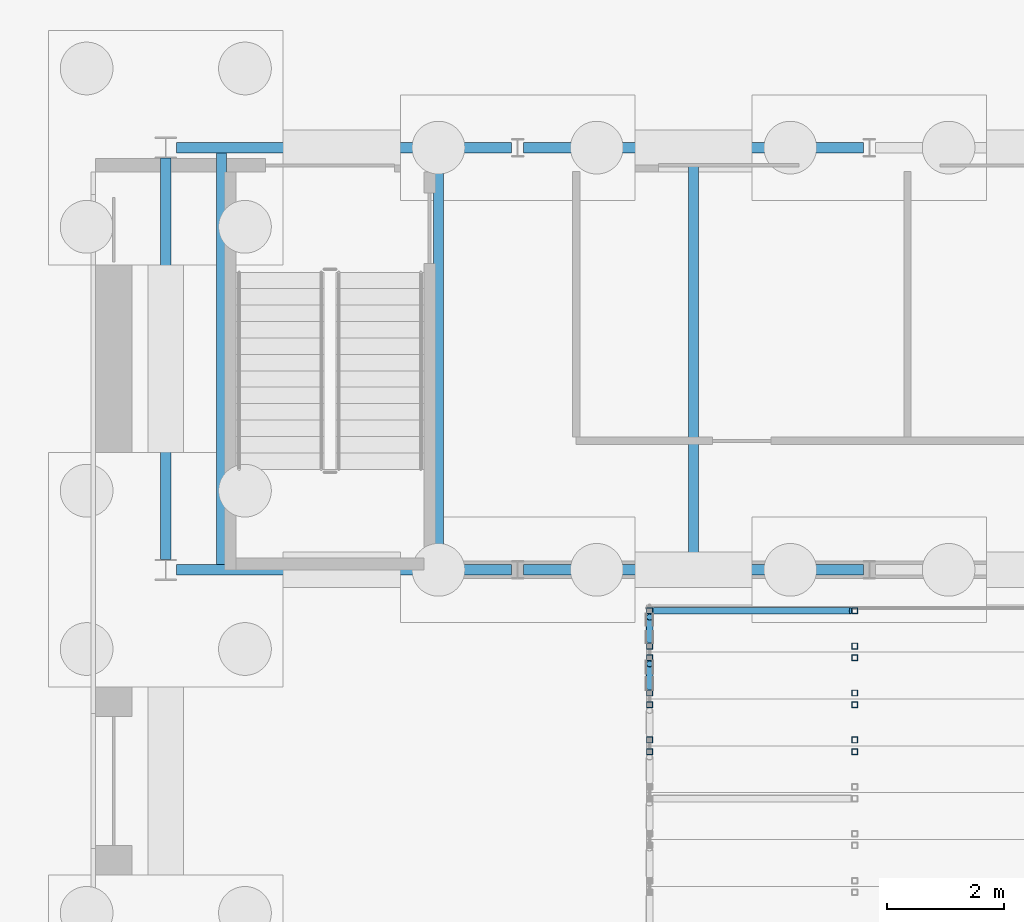
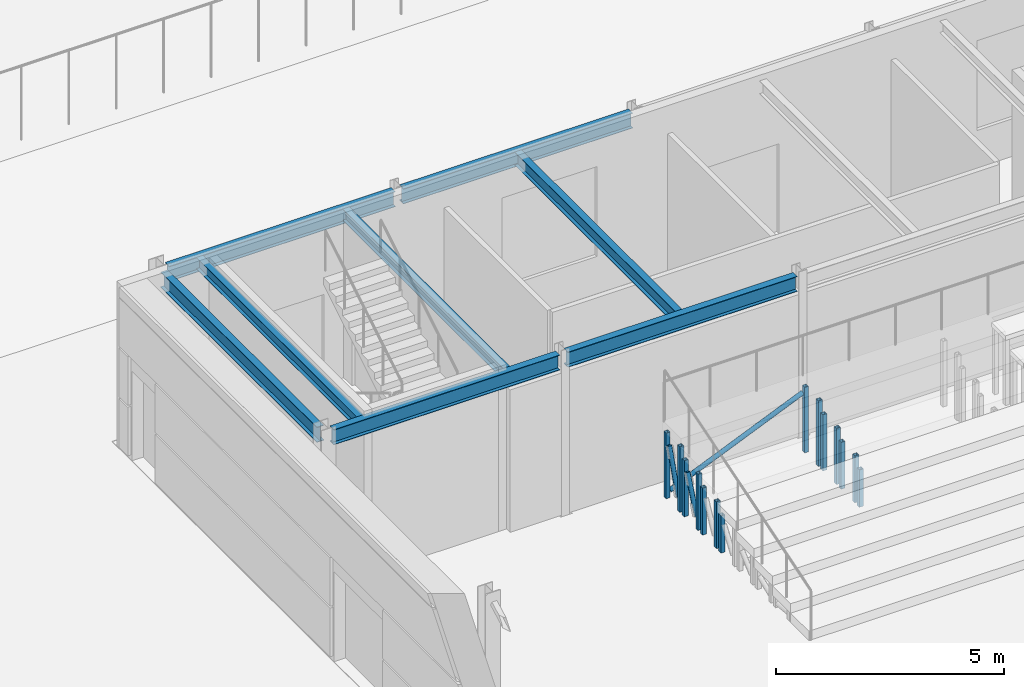
# One storey, part 32 of 139: 17 members, 8 beams.
"""IFC4 building model written with IfcOpenShell, lengths in metres."""

from ifc_helpers import new_model, si_unit, direction, frame, origin, origin_2d, place, context, subcontext, project, spatial, hollow_rectangle, hollow_circle, i_section, extrude, material, material_profile, profile_set, type_object, element, save


model = new_model("IFC4")

# Units and contexts
model_context = context("Model", 3, precision=1e-05, world=origin(), true_north=direction((0.0, 1.0)))
body_context = subcontext(model_context, "Body", "Model", "MODEL_VIEW")
ifc_project = project(units=[si_unit("LENGTHUNIT", "METRE"), si_unit("AREAUNIT", "SQUARE_METRE"), si_unit("VOLUMEUNIT", "CUBIC_METRE"), si_unit("PLANEANGLEUNIT", "RADIAN"), si_unit("MASSUNIT", "GRAM", prefix="KILO")], contexts=[model_context])

# Site, building, storey
site_placement = place(None, origin())
site = spatial("IfcSite", under=ifc_project, at=site_placement, CompositionType="ELEMENT")
building_placement = place(site_placement, origin())
building = spatial("IfcBuilding", under=site, at=building_placement, Name="Verrick Yard Athletic Hall", CompositionType="ELEMENT")
storey_placement = place(building_placement, origin())
storey = spatial("IfcBuildingStorey", under=building, at=storey_placement, Name="L00", CompositionType="ELEMENT", Elevation=0.0)

# Beams
ifc_material_1 = material(Name="Structural steel 350W (CSA G40.21)", Category="steel")
ifc_material_profile_1 = material_profile(ifc_material_1, i_section(OverallWidth=0.177978515625, OverallDepth=0.406982421875, WebThickness=0.0078125, FlangeThickness=0.0126953125, at=origin_2d()), Name="W410x60")
ifc_profile_set_1 = profile_set([ifc_material_profile_1], Name="Structural steel 350W (CSA G40.21)")
beam_type_1 = type_object("IfcBeamType", Name="HB girder W410x60", PredefinedType="BEAM", material=ifc_profile_set_1)
beam_1_placement = place(storey_placement, frame((28.1845703125, 100.800048828125, 4.04638671875), z_axis=(1.0, 0.0, 0.0), x_axis=(0.0, 1.0, 0.0)))
element("IfcBeam", 1, at=beam_1_placement, inside=storey, type_object=beam_type_1, Name="HB-GB-B-L01-S1", PredefinedType="BEAM", context=body_context, shape_type="SweptSolid", body=[
    extrude(i_section(OverallWidth=0.177978515625, OverallDepth=0.406982421875, WebThickness=0.0078125, FlangeThickness=0.0126953125, at=origin_2d()), origin(), (0.0, 0.0, 1.0), 5.712890625),
])
beam_2_placement = place(storey_placement, frame((34.1025390625, 100.800048828125, 4.04638671875), z_axis=(1.0, 0.0, 0.0), x_axis=(0.0, 1.0, 0.0)))
element("IfcBeam", 2, at=beam_2_placement, inside=storey, type_object=beam_type_1, Name="HB-GB-B-L01-S2", PredefinedType="BEAM", context=body_context, shape_type="SweptSolid", body=[
    extrude(i_section(OverallWidth=0.177978515625, OverallDepth=0.406982421875, WebThickness=0.0078125, FlangeThickness=0.0126953125, at=origin_2d()), origin(), (0.0, 0.0, 1.0), 5.794921875),
])
beam_3_placement = place(storey_placement, frame((28.1845703125, 108.0, 4.04638671875), z_axis=(1.0, 0.0, 0.0), x_axis=(0.0, 1.0, 0.0)))
element("IfcBeam", 3, at=beam_3_placement, inside=storey, type_object=beam_type_1, Name="HB-GB-B-L01-N1", PredefinedType="BEAM", context=body_context, shape_type="SweptSolid", body=[
    extrude(i_section(OverallWidth=0.177978515625, OverallDepth=0.406982421875, WebThickness=0.0078125, FlangeThickness=0.0126953125, at=origin_2d()), origin(), (0.0, 0.0, 1.0), 5.712890625),
])
beam_4_placement = place(storey_placement, frame((34.1025390625, 108.0, 4.04638671875), z_axis=(1.0, 0.0, 0.0), x_axis=(0.0, 1.0, 0.0)))
element("IfcBeam", 4, at=beam_4_placement, inside=storey, type_object=beam_type_1, Name="HB-GB-B-L01-N2", PredefinedType="BEAM", context=body_context, shape_type="SweptSolid", body=[
    extrude(i_section(OverallWidth=0.177978515625, OverallDepth=0.406982421875, WebThickness=0.0078125, FlangeThickness=0.0126953125, at=origin_2d()), origin(), (0.0, 0.0, 1.0), 5.794921875),
])
beam_5_placement = place(storey_placement, frame((28.0, 100.97802734375, 4.04638671875), z_axis=(0.0, 1.0, 0.0), x_axis=(-1.0, 0.0, 0.0)))
element("IfcBeam", 5, at=beam_5_placement, inside=storey, type_object=beam_type_1, Name="HB-EB-B-L01-W", PredefinedType="BEAM", context=body_context, shape_type="SweptSolid", body=[
    extrude(i_section(OverallWidth=0.177978515625, OverallDepth=0.406982421875, WebThickness=0.0078125, FlangeThickness=0.0126953125, at=origin_2d()), origin(), (0.0, 0.0, 1.0), 6.843994140625),
])

# Members
ifc_material_2 = material(Name="Structural steel HSS Class C 350W (CSA G40.20/G40.21)", Category="steel")
ifc_material_profile_2 = material_profile(ifc_material_2, hollow_circle(Radius=0.05712890625, WallThickness=0.00634765625, at=origin_2d()), Name="HSS114x6.4")
ifc_profile_set_2 = profile_set([ifc_material_profile_2], Name="Structural steel HSS Class C 350W (CSA G40.20/G40.21)")
member_type_1 = type_object("IfcMemberType", Name="HB roof brace HSS114x6.4", PredefinedType="BRACE", material=ifc_profile_set_2)
member_1_placement = place(storey_placement, frame((36.250732421875, 98.803466796875, 0.277099609375), z_axis=(0.0, 0.383768953832, 0.923429147295), x_axis=(-1.0, 0.0, 0.0)))
element("IfcMember", 6, at=member_1_placement, inside=storey, type_object=member_type_1, Name="HB-BRS-RSB1-a7", PredefinedType="BRACE", context=body_context, shape_type="SweptSolid", body=[
    extrude(hollow_circle(Radius=0.05712890625, WallThickness=0.00634765625, at=origin_2d()), origin(), (0.0, 0.0, 1.0), 1.024169921875),
])
member_2_placement = place(storey_placement, frame((36.250732421875, 99.604736328125, 0.30712890625), z_axis=(0.0, 0.325057042805, 0.945694410961), x_axis=(-1.0, 0.0, 0.0)))
element("IfcMember", 7, at=member_2_placement, inside=storey, type_object=member_type_1, Name="HB-BRS-RSB1-a8", PredefinedType="BRACE", context=body_context, shape_type="SweptSolid", body=[
    extrude(hollow_circle(Radius=0.05712890625, WallThickness=0.00634765625, at=origin_2d()), origin(), (0.0, 0.0, 1.0), 1.200927734375),
])
member_3_placement = place(storey_placement, frame((36.323974609375, 100.10009765625, 0.15966796875), z_axis=(0.919794925456, 0.0, 0.392399407627), x_axis=(0.0, 1.0, 0.0)))
element("IfcMember", 8, at=member_3_placement, inside=storey, type_object=member_type_1, Name="HB-BRL-RSB1-a8", PredefinedType="BRACE", context=body_context, shape_type="SweptSolid", body=[
    extrude(hollow_circle(Radius=0.05712890625, WallThickness=0.00634765625, at=origin_2d()), origin(), (0.0, 0.0, 1.0), 3.64599609375),
])
ifc_material_profile_3 = material_profile(ifc_material_2, hollow_rectangle(XDim=0.1015625, YDim=0.1015625, WallThickness=0.00634765625, at=origin_2d()), Name="HSS102x102x6.4")
ifc_profile_set_3 = profile_set([ifc_material_profile_3], Name="Structural steel HSS Class C 350W (CSA G40.20/G40.21)")
member_type_2 = type_object("IfcMemberType", Name="HB seating post HSS102x102x6.4", PredefinedType="POST", material=ifc_profile_set_3)
for number, where, z_axis, x_axis, name in (
    (9, (36.250732421875, 97.699951171875, 0.0), (0.0, 0.0, 1.0), (0.0, 1.0, 0.0), "HB-SP-RSB1-T5b1"),
    (10, (39.750732421875, 97.699951171875, 0.0), (0.0, 0.0, 1.0), (0.0, 1.0, 0.0), "HB-SP-RSB1-T5b2"),
):
    element("IfcMember", number, at=place(storey_placement, frame(where, z_axis=z_axis, x_axis=x_axis)), inside=storey, type_object=member_type_2, Name=name, PredefinedType="POST", context=body_context, shape_type="SweptSolid", body=[
        extrude(hollow_rectangle(XDim=0.1015625, YDim=0.1015625, WallThickness=0.00634765625, at=origin_2d()), origin(), (0.0, 0.0, 1.0), 1.0),
    ])
for number, where, z_axis, x_axis, name in (
    (11, (36.250732421875, 97.89990234375, 0.0), (0.0, 0.0, 1.0), (0.0, 1.0, 0.0), "HB-SP-RSB1-T6f1"),
    (12, (39.750732421875, 97.89990234375, 0.0), (0.0, 0.0, 1.0), (0.0, 1.0, 0.0), "HB-SP-RSB1-T6f2"),
    (13, (36.250732421875, 98.5, 0.0), (0.0, 0.0, 1.0), (0.0, 1.0, 0.0), "HB-SP-RSB1-T6b1"),
    (14, (39.750732421875, 98.5, 0.0), (0.0, 0.0, 1.0), (0.0, 1.0, 0.0), "HB-SP-RSB1-T6b2"),
):
    element("IfcMember", number, at=place(storey_placement, frame(where, z_axis=z_axis, x_axis=x_axis)), inside=storey, type_object=member_type_2, Name=name, PredefinedType="POST", context=body_context, shape_type="SweptSolid", body=[
        extrude(hollow_rectangle(XDim=0.1015625, YDim=0.1015625, WallThickness=0.00634765625, at=origin_2d()), origin(), (0.0, 0.0, 1.0), 1.25),
    ])
for number, where, z_axis, x_axis, name in (
    (15, (36.250732421875, 98.699951171875, 0.0), (0.0, 0.0, 1.0), (0.0, 1.0, 0.0), "HB-SP-RSB1-T7f1"),
    (16, (39.750732421875, 98.699951171875, 0.0), (0.0, 0.0, 1.0), (0.0, 1.0, 0.0), "HB-SP-RSB1-T7f2"),
    (17, (36.250732421875, 99.300048828125, 0.0), (0.0, 0.0, 1.0), (0.0, 1.0, 0.0), "HB-SP-RSB1-T7b1"),
    (18, (39.750732421875, 99.300048828125, 0.0), (0.0, 0.0, 1.0), (0.0, 1.0, 0.0), "HB-SP-RSB1-T7b2"),
):
    element("IfcMember", number, at=place(storey_placement, frame(where, z_axis=z_axis, x_axis=x_axis)), inside=storey, type_object=member_type_2, Name=name, PredefinedType="POST", context=body_context, shape_type="SweptSolid", body=[
        extrude(hollow_rectangle(XDim=0.1015625, YDim=0.1015625, WallThickness=0.00634765625, at=origin_2d()), origin(), (0.0, 0.0, 1.0), 1.5),
    ])
for number, where, z_axis, x_axis, name in (
    (19, (36.250732421875, 99.5, 0.0), (0.0, 0.0, 1.0), (0.0, 1.0, 0.0), "HB-SP-RSB1-T8f1"),
    (20, (39.750732421875, 99.5, 0.0), (0.0, 0.0, 1.0), (0.0, 1.0, 0.0), "HB-SP-RSB1-T8f2"),
    (21, (36.250732421875, 100.10009765625, 0.0), (0.0, 0.0, 1.0), (0.0, 1.0, 0.0), "HB-SP-RSB1-T8b1"),
    (22, (39.750732421875, 100.10009765625, 0.0), (0.0, 0.0, 1.0), (0.0, 1.0, 0.0), "HB-SP-RSB1-T8b2"),
):
    element("IfcMember", number, at=place(storey_placement, frame(where, z_axis=z_axis, x_axis=x_axis)), inside=storey, type_object=member_type_2, Name=name, PredefinedType="POST", context=body_context, shape_type="SweptSolid", body=[
        extrude(hollow_rectangle(XDim=0.1015625, YDim=0.1015625, WallThickness=0.00634765625, at=origin_2d()), origin(), (0.0, 0.0, 1.0), 1.75),
    ])

# Beams
ifc_material_profile_4 = material_profile(ifc_material_1, i_section(OverallWidth=0.1708984375, OverallDepth=0.35498046875, WebThickness=0.007080078125, FlangeThickness=0.01171875, at=origin_2d()), Name="W360x51")
ifc_profile_set_4 = profile_set([ifc_material_profile_4], Name="Structural steel 350W (CSA G40.21)")
beam_type_2 = type_object("IfcBeamType", Name="HB secondary beam W360x51", PredefinedType="JOIST", material=ifc_profile_set_4)
beam_6_placement = place(storey_placement, frame((37.0, 100.888916015625, 4.072509765625), z_axis=(0.0, 1.0, 0.0), x_axis=(-1.0, 0.0, 0.0)))
element("IfcBeam", 23, at=beam_6_placement, inside=storey, type_object=beam_type_2, Name="HB-SB-B-L01-2", PredefinedType="JOIST", context=body_context, shape_type="SweptSolid", body=[
    extrude(i_section(OverallWidth=0.1708984375, OverallDepth=0.35498046875, WebThickness=0.007080078125, FlangeThickness=0.01171875, at=origin_2d()), origin(), (0.0, 0.0, 1.0), 7.02197265625),
])
ifc_material_profile_5 = material_profile(ifc_material_1, i_section(OverallWidth=0.1650390625, OverallDepth=0.31005859375, WebThickness=0.005859375, FlangeThickness=0.009765625, at=origin_2d()), Name="W310x39")
ifc_profile_set_5 = profile_set([ifc_material_profile_5], Name="Structural steel 350W (CSA G40.21)")
beam_type_3 = type_object("IfcBeamType", Name="HB trimmer beam W310x39", PredefinedType="BEAM", material=ifc_profile_set_5)
for number, where, z_axis, x_axis, name in (
    (24, (28.949951171875, 100.888916015625, 4.094970703125), (0.0, 1.0, 0.0), (-1.0, 0.0, 0.0), "HB-TB-B-1a"),
    (25, (32.64990234375, 100.888916015625, 4.094970703125), (0.0, 1.0, 0.0), (-1.0, 0.0, 0.0), "HB-TB-B-1b"),
):
    element("IfcBeam", number, at=place(storey_placement, frame(where, z_axis=z_axis, x_axis=x_axis)), inside=storey, type_object=beam_type_3, Name=name, PredefinedType="BEAM", context=body_context, shape_type="SweptSolid", body=[
        extrude(i_section(OverallWidth=0.1650390625, OverallDepth=0.31005859375, WebThickness=0.005859375, FlangeThickness=0.009765625, at=origin_2d()), origin(), (0.0, 0.0, 1.0), 7.02197265625),
    ])

save(model, "model.ifc")
